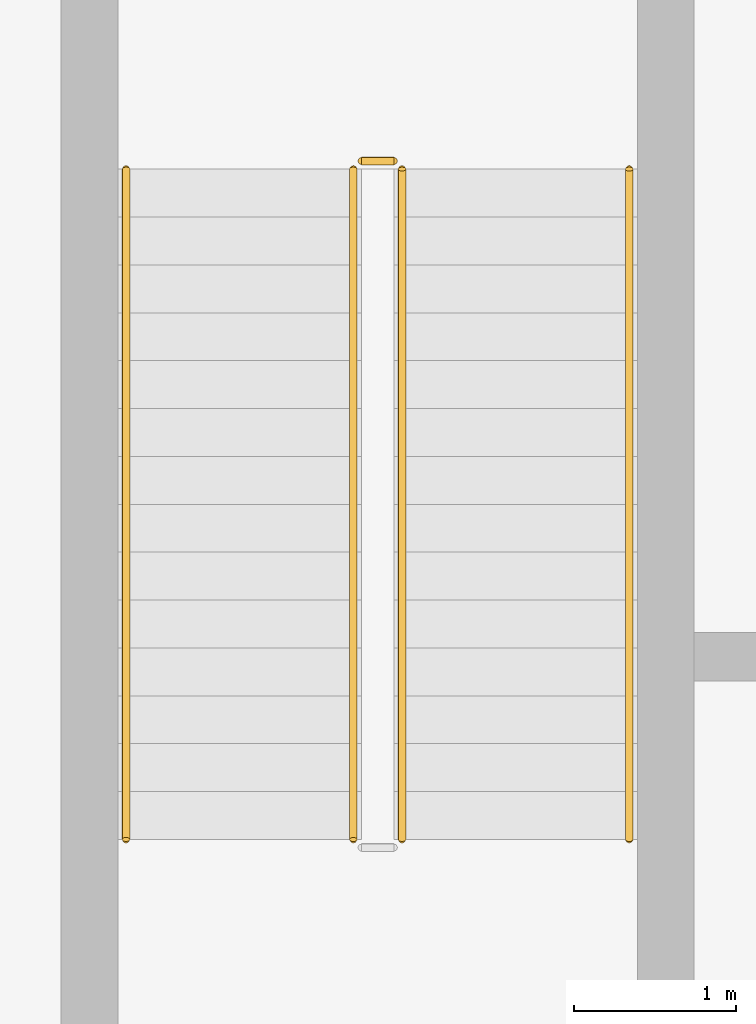
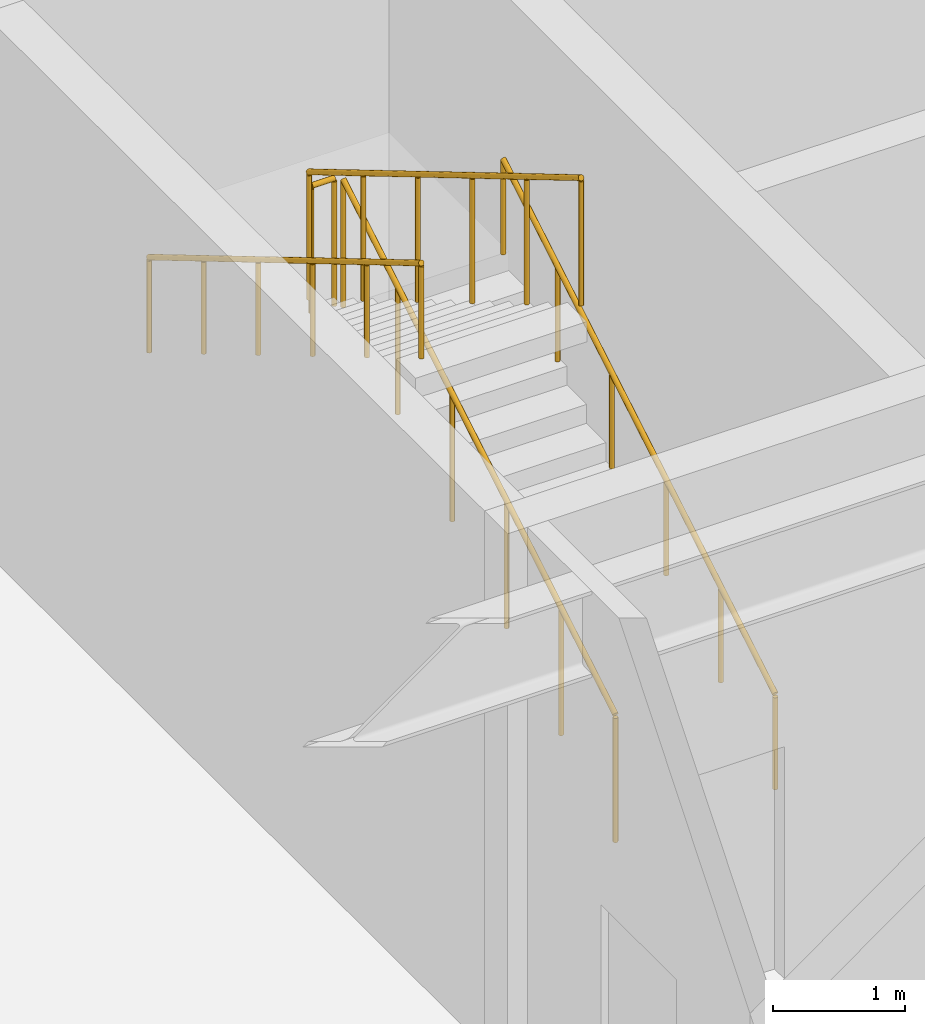
# One storey, part 32 of 33: 5 railings.
"""IFC4 building model written with IfcOpenShell, lengths in metres."""

from ifc_helpers import new_model, si_unit, direction, frame, origin, origin_2d, place, context, subcontext, project, spatial, circle, extrude, material, layer, layer_set, type_object, element, save


model = new_model("IFC4")

# Units and contexts
model_context = context("Model", 3, precision=1e-05, world=origin(), true_north=direction((0.0, 1.0)))
body_context = subcontext(model_context, "Body", "Model", "MODEL_VIEW")
ifc_project = project(units=[si_unit("LENGTHUNIT", "METRE"), si_unit("AREAUNIT", "SQUARE_METRE"), si_unit("VOLUMEUNIT", "CUBIC_METRE"), si_unit("PLANEANGLEUNIT", "RADIAN"), si_unit("MASSUNIT", "GRAM", prefix="KILO")], contexts=[model_context])

# Site, building, storey
site_placement = place(None, origin())
site = spatial("IfcSite", under=ifc_project, at=site_placement, CompositionType="ELEMENT")
building_placement = place(site_placement, origin())
building = spatial("IfcBuilding", under=site, at=building_placement, Name="Nordkorset Police Headquarters", CompositionType="ELEMENT")
storey_placement = place(building_placement, frame((0.0, 0.0, -9.800048828125)))
storey = spatial("IfcBuildingStorey", under=building, at=storey_placement, Name="B02", CompositionType="ELEMENT", Elevation=-9.800048828125)

# Railings
ifc_material_1 = material(Name="Steel S355J2", Category="steel")
ifc_layer_1 = layer(ifc_material_1, 0.048095703125, Name="Steel S355J2")
ifc_layer_set_1 = layer_set([ifc_layer_1], Name="Steel S355J2")
railing_type_1 = type_object("IfcRailingType", Name="Railing_Handrail_900", PredefinedType="HANDRAIL", material=ifc_layer_set_1)
railing_1_placement = place(storey_placement, frame((109.125, 90.824951171875, 0.175048828125)))
element("IfcRailing", 1, at=railing_1_placement, inside=storey, type_object=railing_type_1, Name="B02 ST-05 stair handrail 1", PredefinedType="HANDRAIL", context=body_context, shape_type="SweptSolid", body=[
    extrude(circle(Radius=0.02392578125, at=origin_2d()), frame((0.0, 0.0, 0.8759765625), z_axis=(0.0, 0.860065997128, 0.510182791345), x_axis=(-1.0, 0.0, 0.0)), (0.0, 0.0, 1.0), 4.802001953125),
    extrude(circle(Radius=0.02099609375, at=origin_2d()), origin(), (0.0, 0.0, 1.0), 0.851806640625),
    extrude(circle(Radius=0.02099609375, at=origin_2d()), frame((0.0, 0.825927734375, 0.489990234375)), (0.0, 0.0, 1.0), 0.851806640625),
    extrude(circle(Radius=0.02099609375, at=origin_2d()), frame((0.0, 1.652099609375, 0.97998046875)), (0.0, 0.0, 1.0), 0.851806640625),
    extrude(circle(Radius=0.02099609375, at=origin_2d()), frame((0.0, 2.47802734375, 1.469970703125)), (0.0, 0.0, 1.0), 0.851806640625),
    extrude(circle(Radius=0.02099609375, at=origin_2d()), frame((0.0, 3.30419921875, 1.9599609375)), (0.0, 0.0, 1.0), 0.851806640625),
    extrude(circle(Radius=0.02099609375, at=origin_2d()), frame((0.0, 4.130126953125, 2.449951171875)), (0.0, 0.0, 1.0), 0.851806640625),
])
railing_2_placement = place(storey_placement, frame((106.02490234375, 94.955078125, 2.800048828125)))
element("IfcRailing", 2, at=railing_2_placement, inside=storey, type_object=railing_type_1, Name="B02 ST-05 stair handrail 2", PredefinedType="HANDRAIL", context=body_context, shape_type="SweptSolid", body=[
    extrude(circle(Radius=0.02392578125, at=origin_2d()), frame((0.0, 0.0, 0.8759765625), z_axis=(0.0, -0.860065997128, 0.510182791345), x_axis=(1.0, 0.0, 0.0)), (0.0, 0.0, 1.0), 4.802001953125),
    extrude(circle(Radius=0.02099609375, at=origin_2d()), origin(), (0.0, 0.0, 1.0), 0.851806640625),
    extrude(circle(Radius=0.02099609375, at=origin_2d()), frame((0.0, -0.825927734375, 0.489990234375)), (0.0, 0.0, 1.0), 0.851806640625),
    extrude(circle(Radius=0.02099609375, at=origin_2d()), frame((0.0, -1.652099609375, 0.97998046875)), (0.0, 0.0, 1.0), 0.851806640625),
    extrude(circle(Radius=0.02099609375, at=origin_2d()), frame((0.0, -2.47802734375, 1.469970703125)), (0.0, 0.0, 1.0), 0.851806640625),
    extrude(circle(Radius=0.02099609375, at=origin_2d()), frame((0.0, -3.30419921875, 1.9599609375)), (0.0, 0.0, 1.0), 0.851806640625),
    extrude(circle(Radius=0.02099609375, at=origin_2d()), frame((0.0, -4.130126953125, 2.449951171875)), (0.0, 0.0, 1.0), 0.851806640625),
])
ifc_material_2 = material(Name="Steel S355J2", Category="steel")
ifc_layer_2 = layer(ifc_material_2, 0.050048828125, Name="Steel S355J2")
ifc_layer_set_2 = layer_set([ifc_layer_2], Name="Steel S355J2")
railing_type_2 = type_object("IfcRailingType", Name="Railing_StairGuard_1200", PredefinedType="GUARDRAIL", material=ifc_layer_set_2)
railing_3_placement = place(storey_placement, frame((107.72509765625, 90.824951171875, 0.175048828125)))
element("IfcRailing", 3, at=railing_3_placement, inside=storey, type_object=railing_type_2, Name="B02 ST-05 stair guard 1", PredefinedType="GUARDRAIL", context=body_context, shape_type="SweptSolid", body=[
    extrude(circle(Radius=0.02392578125, at=origin_2d()), frame((0.0, 0.0, 1.17578125), z_axis=(0.0, 0.860065997128, 0.510182791345), x_axis=(-1.0, 0.0, 0.0)), (0.0, 0.0, 1.0), 4.802001953125),
    extrude(circle(Radius=0.02099609375, at=origin_2d()), origin(), (0.0, 0.0, 1.0), 1.15185546875),
    extrude(circle(Radius=0.02099609375, at=origin_2d()), frame((0.0, 0.825927734375, 0.489990234375)), (0.0, 0.0, 1.0), 1.15185546875),
    extrude(circle(Radius=0.02099609375, at=origin_2d()), frame((0.0, 1.652099609375, 0.97998046875)), (0.0, 0.0, 1.0), 1.15185546875),
    extrude(circle(Radius=0.02099609375, at=origin_2d()), frame((0.0, 2.47802734375, 1.469970703125)), (0.0, 0.0, 1.0), 1.15185546875),
    extrude(circle(Radius=0.02099609375, at=origin_2d()), frame((0.0, 3.30419921875, 1.9599609375)), (0.0, 0.0, 1.0), 1.15185546875),
    extrude(circle(Radius=0.02099609375, at=origin_2d()), frame((0.0, 4.130126953125, 2.449951171875)), (0.0, 0.0, 1.0), 1.15185546875),
])
railing_4_placement = place(storey_placement, frame((107.675048828125, 95.0048828125, 2.625)))
element("IfcRailing", 4, at=railing_4_placement, inside=storey, type_object=railing_type_2, Name="B02 ST-05 stair guard 2", PredefinedType="GUARDRAIL", context=body_context, shape_type="SweptSolid", body=[
    extrude(circle(Radius=0.02392578125, at=origin_2d()), frame((0.0, 0.0, 1.17578125), z_axis=(-1.0, 0.0, 0.0), x_axis=(0.0, -1.0, 0.0)), (0.0, 0.0, 1.0), 0.199951171875),
    extrude(circle(Radius=0.02099609375, at=origin_2d()), origin(), (0.0, 0.0, 1.0), 1.15185546875),
    extrude(circle(Radius=0.02099609375, at=origin_2d()), frame((-0.199951171875, 0.0, 0.0)), (0.0, 0.0, 1.0), 1.15185546875),
])
railing_5_placement = place(storey_placement, frame((107.425048828125, 94.955078125, 2.800048828125)))
element("IfcRailing", 5, at=railing_5_placement, inside=storey, type_object=railing_type_2, Name="B02 ST-05 stair guard 3", PredefinedType="GUARDRAIL", context=body_context, shape_type="SweptSolid", body=[
    extrude(circle(Radius=0.02392578125, at=origin_2d()), frame((0.0, 0.0, 1.17578125), z_axis=(0.0, -0.860065997128, 0.510182791345), x_axis=(1.0, 0.0, 0.0)), (0.0, 0.0, 1.0), 4.802001953125),
    extrude(circle(Radius=0.02099609375, at=origin_2d()), origin(), (0.0, 0.0, 1.0), 1.15185546875),
    extrude(circle(Radius=0.02099609375, at=origin_2d()), frame((0.0, -0.825927734375, 0.489990234375)), (0.0, 0.0, 1.0), 1.15185546875),
    extrude(circle(Radius=0.02099609375, at=origin_2d()), frame((0.0, -1.652099609375, 0.97998046875)), (0.0, 0.0, 1.0), 1.15185546875),
    extrude(circle(Radius=0.02099609375, at=origin_2d()), frame((0.0, -2.47802734375, 1.469970703125)), (0.0, 0.0, 1.0), 1.15185546875),
    extrude(circle(Radius=0.02099609375, at=origin_2d()), frame((0.0, -3.30419921875, 1.9599609375)), (0.0, 0.0, 1.0), 1.15185546875),
    extrude(circle(Radius=0.02099609375, at=origin_2d()), frame((0.0, -4.130126953125, 2.449951171875)), (0.0, 0.0, 1.0), 1.15185546875),
])

save(model, "model.ifc")
